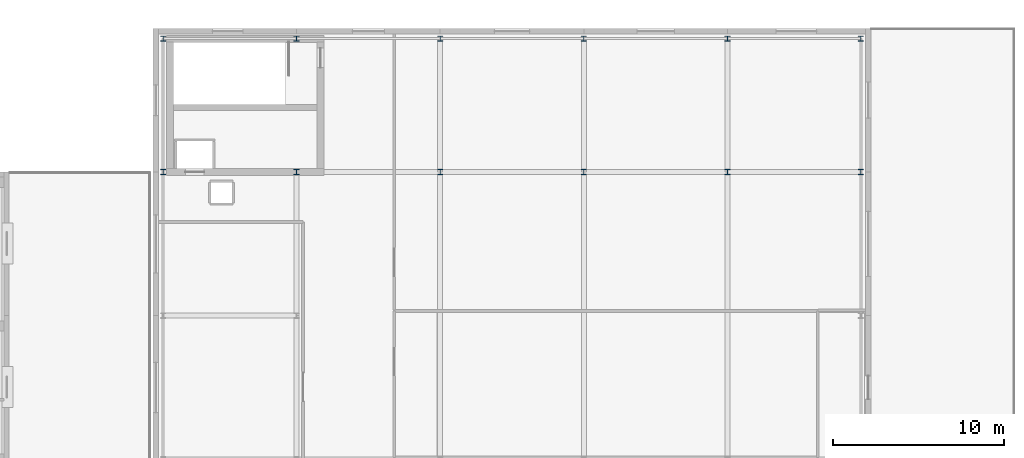
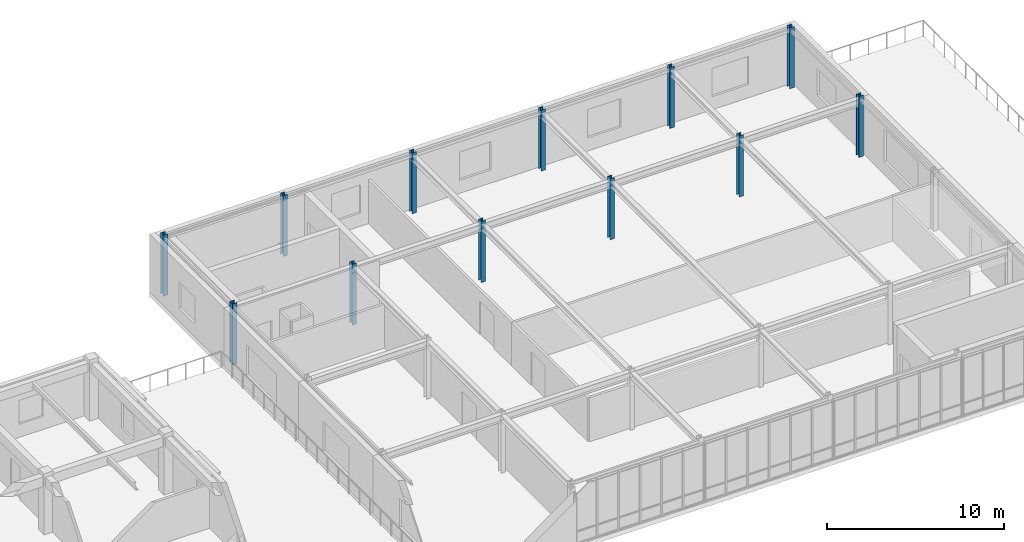
# One storey, part 19 of 127: 12 columns.
"""IFC4 building model written with IfcOpenShell, lengths in metres."""

from ifc_helpers import new_model, si_unit, direction, frame, origin, origin_2d, place, context, subcontext, project, spatial, i_section, extrude, material, material_profile, profile_set, type_object, element, save


model = new_model("IFC4")

# Units and contexts
model_context = context("Model", 3, precision=1e-05, world=origin(), true_north=direction((0.0, 1.0)))
body_context = subcontext(model_context, "Body", "Model", "MODEL_VIEW")
ifc_project = project(units=[si_unit("LENGTHUNIT", "METRE"), si_unit("AREAUNIT", "SQUARE_METRE"), si_unit("VOLUMEUNIT", "CUBIC_METRE"), si_unit("PLANEANGLEUNIT", "RADIAN"), si_unit("MASSUNIT", "GRAM", prefix="KILO")], contexts=[model_context])

# Site, building, storey
site_placement = place(None, origin())
site = spatial("IfcSite", under=ifc_project, at=site_placement, CompositionType="ELEMENT")
building_placement = place(site_placement, origin())
building = spatial("IfcBuilding", under=site, at=building_placement, Name="Zayran Congress Hotel", CompositionType="ELEMENT")
storey_placement = place(building_placement, frame((0.0, 0.0, 10.800048828125)))
storey = spatial("IfcBuildingStorey", under=building, at=storey_placement, Name="L02", CompositionType="ELEMENT", Elevation=10.800048828125)

# Columns
ifc_material = material(Name="Steel S355", Category="steel")
ifc_material_profile = material_profile(ifc_material, i_section(OverallWidth=0.300048828125, OverallDepth=0.300048828125, WebThickness=0.010986328125, FlangeThickness=0.01904296875, at=origin_2d()), Name="HEB 300")
ifc_profile_set = profile_set([ifc_material_profile], Name="Steel S355")
column_type = type_object("IfcColumnType", Name="TP-CL-08", PredefinedType="COLUMN", material=ifc_profile_set)
for number, where, z_axis, x_axis, name in (
    (1, (143.39990234375, 109.60009765625, 0.0), (0.0, 0.0, 1.0), (1.0, 0.0, 0.0), "COL-V2-L02-0588"),
    (2, (143.39990234375, 117.39990234375, 0.0), (0.0, 0.0, 1.0), (1.0, 0.0, 0.0), "COL-V2-L02-0589"),
    (3, (151.199951171875, 109.60009765625, 0.0), (0.0, 0.0, 1.0), (1.0, 0.0, 0.0), "COL-V2-L02-0593"),
    (4, (151.199951171875, 117.39990234375, 0.0), (0.0, 0.0, 1.0), (1.0, 0.0, 0.0), "COL-V2-L02-0594"),
    (5, (159.60009765625, 109.60009765625, 0.0), (0.0, 0.0, 1.0), (1.0, 0.0, 0.0), "COL-V2-L02-0597"),
    (6, (159.60009765625, 117.39990234375, 0.0), (0.0, 0.0, 1.0), (1.0, 0.0, 0.0), "COL-V2-L02-0598"),
    (7, (168.0, 109.60009765625, 0.0), (0.0, 0.0, 1.0), (1.0, 0.0, 0.0), "COL-V2-L02-0601"),
    (8, (168.0, 117.39990234375, 0.0), (0.0, 0.0, 1.0), (1.0, 0.0, 0.0), "COL-V2-L02-0602"),
    (9, (176.39990234375, 109.60009765625, 0.0), (0.0, 0.0, 1.0), (1.0, 0.0, 0.0), "COL-V2-L02-0605"),
    (10, (176.39990234375, 117.39990234375, 0.0), (0.0, 0.0, 1.0), (1.0, 0.0, 0.0), "COL-V2-L02-0606"),
    (11, (184.199951171875, 109.60009765625, 0.0), (0.0, 0.0, 1.0), (1.0, 0.0, 0.0), "COL-V2-L02-0610"),
    (12, (184.199951171875, 117.39990234375, 0.0), (0.0, 0.0, 1.0), (1.0, 0.0, 0.0), "COL-V2-L02-0611"),
):
    element("IfcColumn", number, at=place(storey_placement, frame(where, z_axis=z_axis, x_axis=x_axis)), inside=storey, type_object=column_type, Name=name, PredefinedType="COLUMN", context=body_context, shape_type="SweptSolid", body=[
        extrude(i_section(OverallWidth=0.300048828125, OverallDepth=0.300048828125, WebThickness=0.010986328125, FlangeThickness=0.01904296875, at=origin_2d()), origin(), (0.0, 0.0, 1.0), 4.199951171875),
    ])

save(model, "model.ifc")
